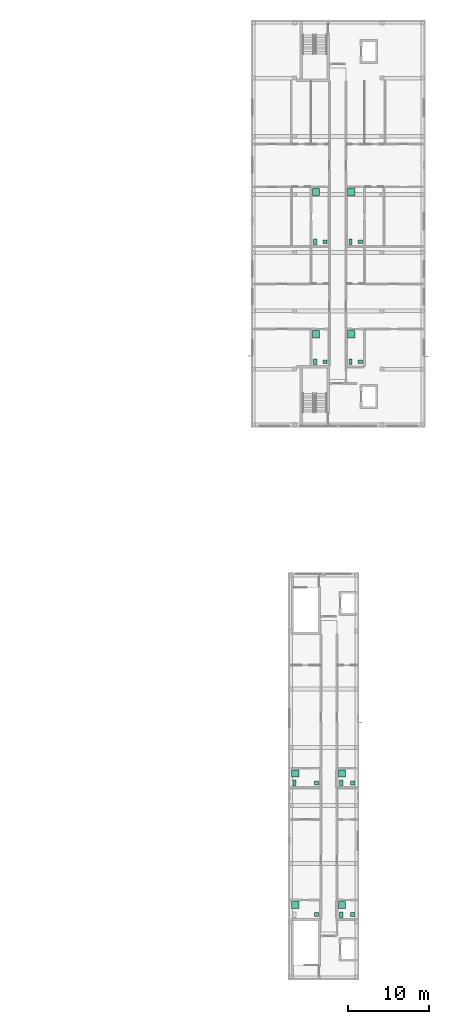
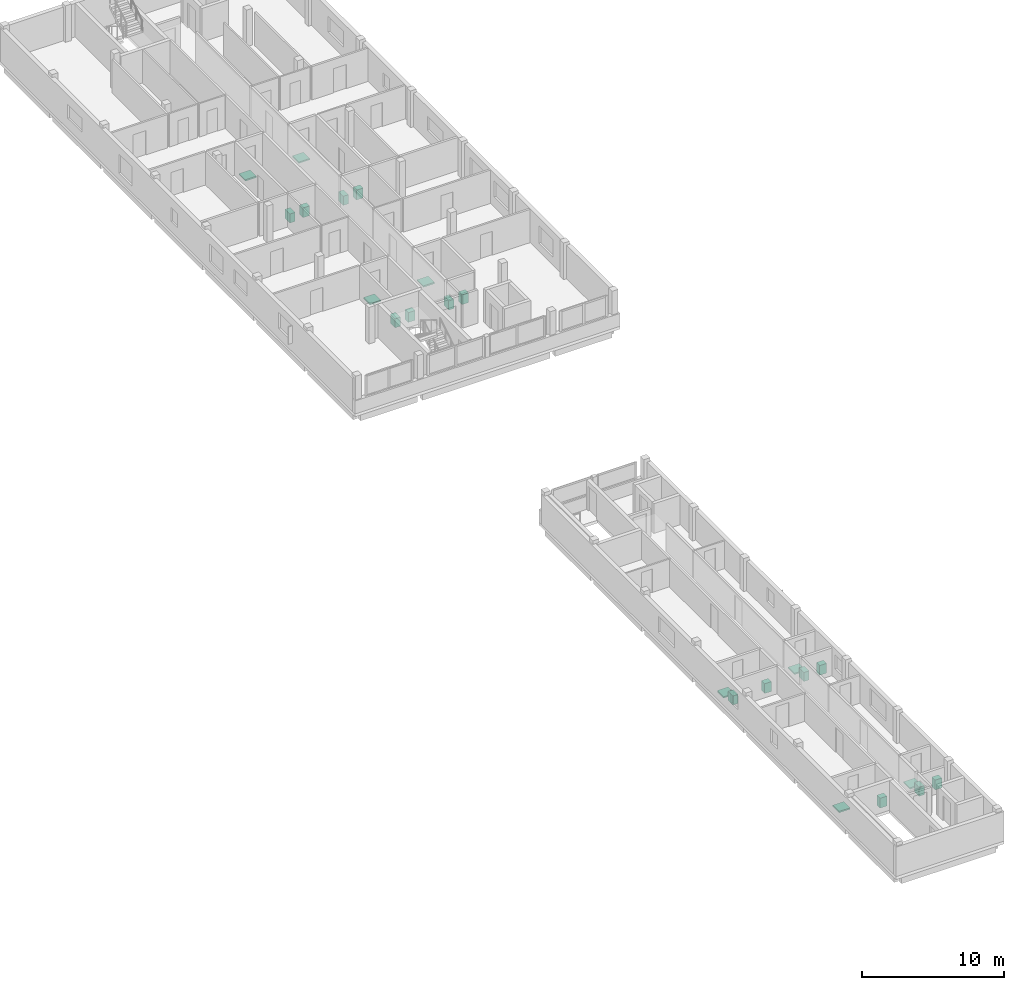
# One storey, part 28 of 28: 23 sanitary terminals.
"""IFC4 building model written with IfcOpenShell, lengths in metres."""

from ifc_helpers import new_model, si_unit, derived_unit, direction, frame, origin, origin_2d, place, context, subcontext, project, spatial, rectangle, extrude, material, type_object, element, save


model = new_model("IFC4")

# Units and contexts
model_context = context("Model", 3, precision=1e-05, world=origin(), true_north=direction((0.0, 1.0)))
body_context = subcontext(model_context, "Body", "Model", "MODEL_VIEW")
ifc_project = project(units=[si_unit("LENGTHUNIT", "METRE"), si_unit("AREAUNIT", "SQUARE_METRE"), si_unit("VOLUMEUNIT", "CUBIC_METRE"), si_unit("PLANEANGLEUNIT", "RADIAN"), si_unit("MASSUNIT", "GRAM", prefix="KILO"), derived_unit("THERMALTRANSMITTANCEUNIT", [(si_unit("MASSUNIT", "GRAM", prefix="KILO"), 1), (si_unit("TIMEUNIT", "SECOND"), -3), (si_unit("THERMODYNAMICTEMPERATUREUNIT", "KELVIN"), -1)])], contexts=[model_context])

# Site, building, storey
site_placement = place(None, origin())
site = spatial("IfcSite", under=ifc_project, at=site_placement, CompositionType="ELEMENT")
building_placement = place(site_placement, origin())
building = spatial("IfcBuilding", under=site, at=building_placement, Name="Ochrekiln Boulevard Commons", CompositionType="ELEMENT")
storey_placement = place(building_placement, frame((0.0, 0.0, 34.125)))
storey = spatial("IfcBuildingStorey", under=building, at=storey_placement, Name="L10", CompositionType="ELEMENT", Elevation=34.125)

# Sanitary terminals
ifc_material = material(Name="Vitreous china sanitaryware")
sanitary_terminal_type_1 = type_object("IfcSanitaryTerminalType", Name="SAN-BAS", PredefinedType="WASHHANDBASIN", material=ifc_material)
for number, where, z_axis, x_axis, name in (
    (1, (160.3701171875, 76.5, 0.0), (0.0, 0.0, 1.0), (1.0, 0.0, 0.0), "L10 Washhand Basin Fixture"),
    (2, (160.3701171875, 91.3740234375, 0.0), (0.0, 0.0, 1.0), (1.0, 0.0, 0.0), "L10 Washhand Basin Fixture"),
    (3, (164.72998046875, 76.5, 0.0), (0.0, 0.0, 1.0), (1.0, 0.0, 0.0), "L10 Washhand Basin Fixture"),
    (4, (164.72998046875, 91.3740234375, 0.0), (0.0, 0.0, 1.0), (1.0, 0.0, 0.0), "L10 Washhand Basin Fixture"),
    (5, (159.320068359375, 8.10009765625, 0.0), (0.0, 0.0, 1.0), (1.0, 0.0, 0.0), "L10 Washhand Basin Fixture"),
    (6, (159.320068359375, 24.382080078125, 0.0), (0.0, 0.0, 1.0), (1.0, 0.0, 0.0), "L10 Washhand Basin Fixture"),
    (7, (163.800048828125, 8.10009765625, 0.0), (0.0, 0.0, 1.0), (1.0, 0.0, 0.0), "L10 Washhand Basin Fixture"),
    (8, (163.800048828125, 24.382080078125, 0.0), (0.0, 0.0, 1.0), (1.0, 0.0, 0.0), "L10 Washhand Basin Fixture"),
):
    element("IfcSanitaryTerminal", number, at=place(storey_placement, frame(where, z_axis=z_axis, x_axis=x_axis)), inside=storey, type_object=sanitary_terminal_type_1, Name=name, PredefinedType="WASHHANDBASIN", context=body_context, shape_type="SweptSolid", body=[
        extrude(rectangle(XDim=0.550048828125, YDim=0.4599609375, at=origin_2d()), origin(), (0.0, 0.0, 1.0), 0.840087890625),
    ])
sanitary_terminal_type_2 = type_object("IfcSanitaryTerminalType", Name="SAN-SHW", PredefinedType="SHOWER", material=ifc_material)
for number, where, z_axis, x_axis, name in (
    (9, (159.27001953125, 79.925048828125, 0.0), (0.0, 0.0, 1.0), (1.0, 0.0, 0.0), "L10 Shower Receptor"),
    (10, (159.27001953125, 97.52001953125, 0.0), (0.0, 0.0, 1.0), (1.0, 0.0, 0.0), "L10 Shower Receptor"),
    (11, (163.6298828125, 79.925048828125, 0.0), (0.0, 0.0, 1.0), (1.0, 0.0, 0.0), "L10 Shower Receptor"),
    (12, (163.6298828125, 97.52001953125, 0.0), (0.0, 0.0, 1.0), (1.0, 0.0, 0.0), "L10 Shower Receptor"),
    (13, (156.699951171875, 9.27001953125, 0.0), (0.0, 0.0, 1.0), (1.0, 0.0, 0.0), "L10 Shower Receptor"),
    (14, (156.699951171875, 25.552001953125, 0.0), (0.0, 0.0, 1.0), (1.0, 0.0, 0.0), "L10 Shower Receptor"),
    (15, (162.47998046875, 9.27001953125, 0.0), (0.0, 0.0, 1.0), (1.0, 0.0, 0.0), "L10 Shower Receptor"),
    (16, (162.47998046875, 25.552001953125, 0.0), (0.0, 0.0, 1.0), (1.0, 0.0, 0.0), "L10 Shower Receptor"),
):
    element("IfcSanitaryTerminal", number, at=place(storey_placement, frame(where, z_axis=z_axis, x_axis=x_axis)), inside=storey, type_object=sanitary_terminal_type_2, Name=name, PredefinedType="SHOWER", context=body_context, shape_type="SweptSolid", body=[
        extrude(rectangle(XDim=0.89990234375, YDim=0.89990234375, at=origin_2d()), origin(), (0.0, 0.0, 1.0), 0.1201171875),
    ])
sanitary_terminal_type_3 = type_object("IfcSanitaryTerminalType", Name="SAN-WC", PredefinedType="TOILETPAN", material=ifc_material)
for number, where, z_axis, x_axis, name in (
    (17, (159.169921875, 76.5, 0.0), (0.0, 0.0, 1.0), (1.0, 0.0, 0.0), "L10 Water Closet Fixture"),
    (18, (159.169921875, 91.3740234375, 0.0), (0.0, 0.0, 1.0), (1.0, 0.0, 0.0), "L10 Water Closet Fixture"),
    (19, (163.530029296875, 76.5, 0.0), (0.0, 0.0, 1.0), (1.0, 0.0, 0.0), "L10 Water Closet Fixture"),
    (20, (163.530029296875, 91.3740234375, 0.0), (0.0, 0.0, 1.0), (1.0, 0.0, 0.0), "L10 Water Closet Fixture"),
    (21, (156.60009765625, 24.382080078125, 0.0), (0.0, 0.0, 1.0), (1.0, 0.0, 0.0), "L10 Water Closet Fixture"),
    (22, (162.3798828125, 8.10009765625, 0.0), (0.0, 0.0, 1.0), (1.0, 0.0, 0.0), "L10 Water Closet Fixture"),
    (23, (162.3798828125, 24.382080078125, 0.0), (0.0, 0.0, 1.0), (1.0, 0.0, 0.0), "L10 Water Closet Fixture"),
):
    element("IfcSanitaryTerminal", number, at=place(storey_placement, frame(where, z_axis=z_axis, x_axis=x_axis)), inside=storey, type_object=sanitary_terminal_type_3, Name=name, PredefinedType="TOILETPAN", context=body_context, shape_type="SweptSolid", body=[
        extrude(rectangle(XDim=0.419921875, YDim=0.679931640625, at=origin_2d()), origin(), (0.0, 0.0, 1.0), 0.780029296875),
    ])

save(model, "model.ifc")
